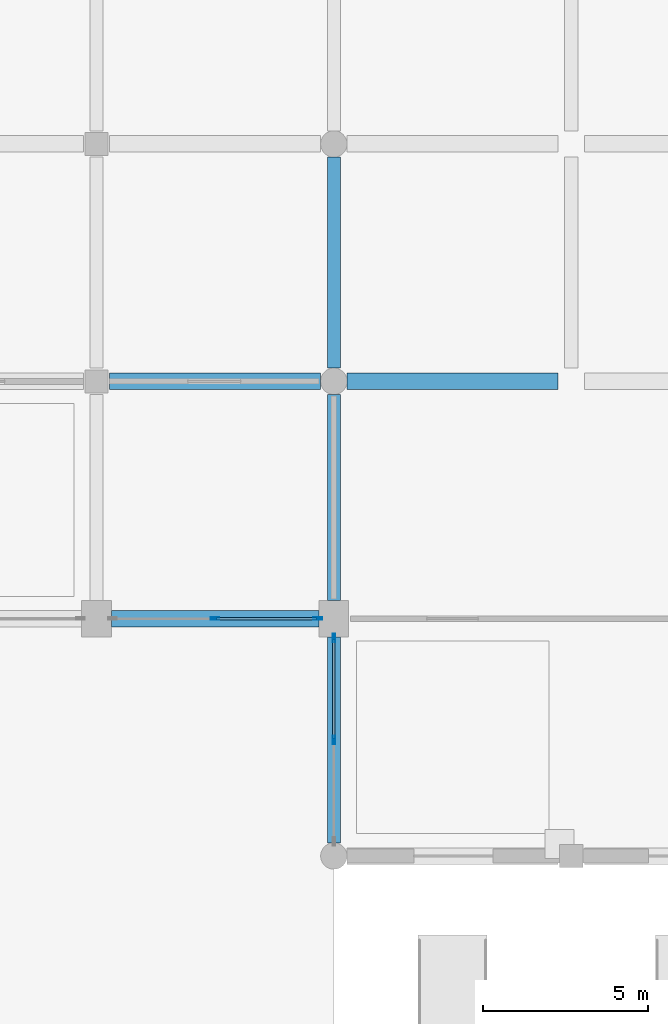
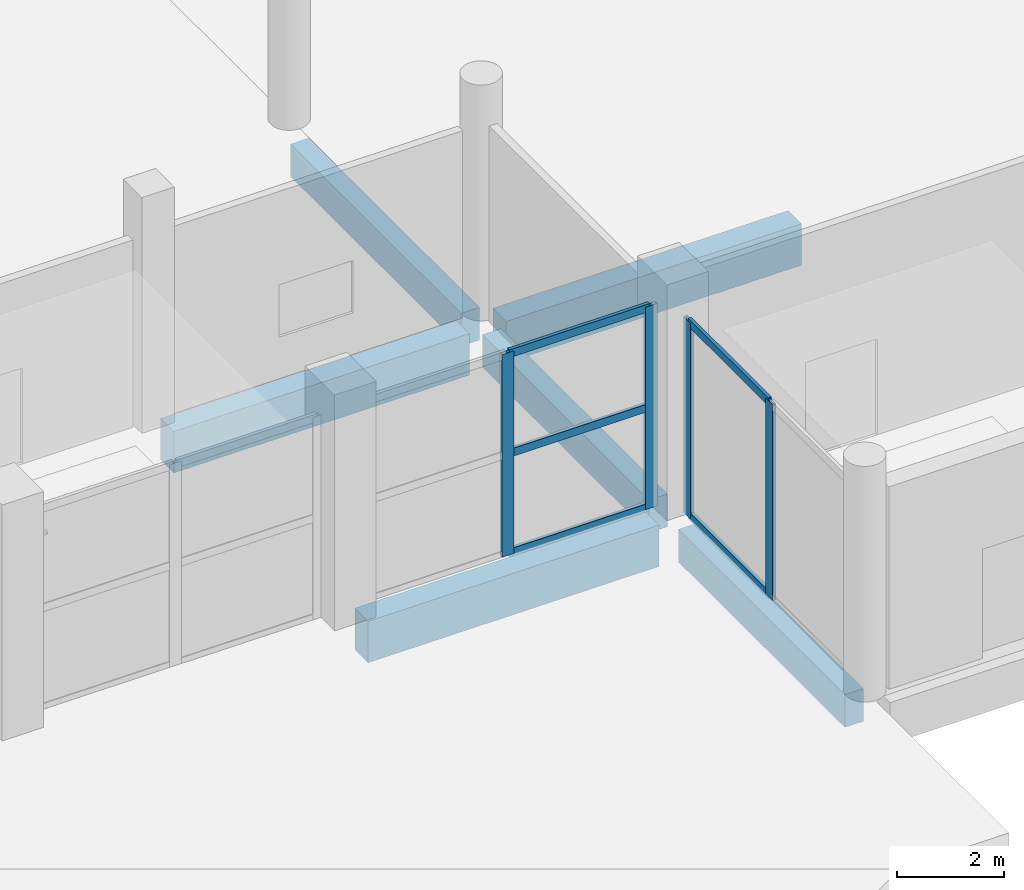
# One storey, part 14 of 70: 9 members, 6 beams, 2 elements without a shape of their own.
"""IFC4 building model written with IfcOpenShell, lengths in metres."""

from ifc_helpers import new_model, si_unit, direction, frame, origin, origin_2d, place, context, subcontext, project, spatial, rectangle, hollow_rectangle, extrude, material, material_profile, profile_set, type_object, element, aggregate, save


model = new_model("IFC4")

# Units and contexts
model_context = context("Model", 3, precision=1e-05, world=origin(), true_north=direction((0.0, 1.0)))
body_context = subcontext(model_context, "Body", "Model", "MODEL_VIEW")
ifc_project = project(units=[si_unit("LENGTHUNIT", "METRE"), si_unit("AREAUNIT", "SQUARE_METRE"), si_unit("VOLUMEUNIT", "CUBIC_METRE"), si_unit("PLANEANGLEUNIT", "RADIAN"), si_unit("MASSUNIT", "GRAM", prefix="KILO")], contexts=[model_context])

# Site, building, storey
site_placement = place(None, origin())
site = spatial("IfcSite", under=ifc_project, at=site_placement, CompositionType="ELEMENT")
building_placement = place(site_placement, origin())
building = spatial("IfcBuilding", under=site, at=building_placement, Name="Vesperath Aquatics Centre", CompositionType="ELEMENT")
storey_placement = place(building_placement, origin())
storey = spatial("IfcBuildingStorey", under=building, at=storey_placement, Name="L00", CompositionType="ELEMENT", Elevation=0.0)

# Beams
ifc_material_1 = material(Name="Concrete C40", Category="concrete")
ifc_material_profile_1 = material_profile(ifc_material_1, rectangle(XDim=0.5, YDim=0.949951171875, at=origin_2d()), Name="RC 500x950")
ifc_profile_set_1 = profile_set([ifc_material_profile_1], Name="Concrete C40")
beam_type_1 = type_object("IfcBeamType", Name="BM-G02", PredefinedType="BEAM", material=ifc_profile_set_1)
beam_1_placement = place(storey_placement, frame((94.050048828125, 14.39990234375, -0.7548828125), z_axis=(1.0, 0.0, 0.0), x_axis=(0.0, 1.0, 0.0)))
element("IfcBeam", 1, at=beam_1_placement, inside=storey, type_object=beam_type_1, Name="Floor Girder B02 L00 C 14-15", PredefinedType="BEAM", context=body_context, shape_type="SweptSolid", body=[
    extrude(rectangle(XDim=0.5, YDim=0.949951171875, at=origin_2d()), origin(), (0.0, 0.0, 1.0), 6.300048828125),
])
beam_2_placement = place(storey_placement, frame((94.0, 21.60009765625, -0.7548828125), z_axis=(1.0, 0.0, 0.0), x_axis=(0.0, 1.0, 0.0)))
element("IfcBeam", 2, at=beam_2_placement, inside=storey, type_object=beam_type_1, Name="Floor Girder B02 L00 D 14-15", PredefinedType="BEAM", context=body_context, shape_type="SweptSolid", body=[
    extrude(rectangle(XDim=0.5, YDim=0.949951171875, at=origin_2d()), origin(), (0.0, 0.0, 1.0), 6.39990234375),
])
beam_3_placement = place(storey_placement, frame((101.199951171875, 21.60009765625, -0.7548828125), z_axis=(1.0, 0.0, 0.0), x_axis=(0.0, 1.0, 0.0)))
element("IfcBeam", 3, at=beam_3_placement, inside=storey, type_object=beam_type_1, Name="Floor Girder B02 L00 D 15-16", PredefinedType="BEAM", context=body_context, shape_type="SweptSolid", body=[
    extrude(rectangle(XDim=0.5, YDim=0.949951171875, at=origin_2d()), origin(), (0.0, 0.0, 1.0), 6.400146484375),
])
ifc_material_2 = material(Name="Concrete C35", Category="concrete")
ifc_material_profile_2 = material_profile(ifc_material_2, rectangle(XDim=0.39990234375, YDim=0.75, at=origin_2d()), Name="RC 400x750")
ifc_profile_set_2 = profile_set([ifc_material_profile_2], Name="Concrete C35")
beam_type_2 = type_object("IfcBeamType", Name="BM-G04", PredefinedType="BEAM", material=ifc_profile_set_2)
for number, where, z_axis, x_axis, name in (
    (4, (100.800048828125, 7.60009765625, -0.655029296875), (0.0, 1.0, 0.0), (-1.0, 0.0, 0.0), "Floor Girder B04 L00 15 B-C"),
    (5, (100.800048828125, 14.949951171875, -0.655029296875), (0.0, 1.0, 0.0), (-1.0, 0.0, 0.0), "Floor Girder B04 L00 15 C-D"),
):
    element("IfcBeam", number, at=place(storey_placement, frame(where, z_axis=z_axis, x_axis=x_axis)), inside=storey, type_object=beam_type_2, Name=name, PredefinedType="BEAM", context=body_context, shape_type="SweptSolid", body=[
        extrude(rectangle(XDim=0.39990234375, YDim=0.75, at=origin_2d()), origin(), (0.0, 0.0, 1.0), 6.25),
    ])
beam_4_placement = place(storey_placement, frame((100.800048828125, 22.0, -0.655029296875), z_axis=(0.0, 1.0, 0.0), x_axis=(-1.0, 0.0, 0.0)))
element("IfcBeam", 6, at=beam_4_placement, inside=storey, type_object=beam_type_2, Name="Floor Girder B04 L00 15 D-E", PredefinedType="BEAM", context=body_context, shape_type="SweptSolid", body=[
    extrude(rectangle(XDim=0.39990234375, YDim=0.75, at=origin_2d()), origin(), (0.0, 0.0, 1.0), 6.39990234375),
])

# Curtain wall, members
ifc_material_3 = material(Name="Thermally broken anodised bronze aluminium curtain wall", Category="aluminium")
curtain_wall_type = type_object("IfcCurtainWallType", Name="CW-01", PredefinedType="NOTDEFINED", material=ifc_material_3)
curtain_wall_1_placement = place(storey_placement, origin())
curtain_wall_1 = element("IfcCurtainWall", 7, at=curtain_wall_1_placement, inside=storey, type_object=curtain_wall_type, Name="Facade Curtain Wall CW01 L00_S_13_02", PredefinedType="NOTDEFINED")
ifc_material_4 = material(Name="Thermally broken anodised aluminium", Category="aluminium")
ifc_material_profile_3 = material_profile(ifc_material_4, hollow_rectangle(XDim=0.074951171875, YDim=0.260009765625, WallThickness=0.006103515625, at=origin_2d()), Name="CWM 75x260x6")
ifc_profile_set_3 = profile_set([ifc_material_profile_3], Name="Thermally broken anodised aluminium")
member_type_1 = type_object("IfcMemberType", Name="MB-CWM1", PredefinedType="MULLION", material=ifc_profile_set_3)
member_1_placement = place(storey_placement, frame((97.199951171875, 14.39990234375, 0.0), z_axis=(0.0, 0.0, 1.0), x_axis=(0.0, 1.0, 0.0)))
member_1 = element("IfcMember", 8, at=member_1_placement, type_object=member_type_1, Name="CW01 mullion 2", PredefinedType="MULLION", context=body_context, shape_type="SweptSolid", body=[
    extrude(hollow_rectangle(XDim=0.074951171875, YDim=0.260009765625, WallThickness=0.006103515625, at=origin_2d()), origin(), (0.0, 0.0, 1.0), 4.639892578125),
])
member_2_placement = place(storey_placement, frame((100.3125, 14.39990234375, 0.0), z_axis=(0.0, 0.0, 1.0), x_axis=(0.0, 1.0, 0.0)))
member_2 = element("IfcMember", 9, at=member_2_placement, type_object=member_type_1, Name="CW01 mullion 3", PredefinedType="MULLION", context=body_context, shape_type="SweptSolid", body=[
    extrude(hollow_rectangle(XDim=0.074951171875, YDim=0.260009765625, WallThickness=0.006103515625, at=origin_2d()), origin(), (0.0, 0.0, 1.0), 4.639892578125),
])

curtain_wall_2_placement = place(storey_placement, origin())
curtain_wall_2 = element("IfcCurtainWall", 10, at=curtain_wall_2_placement, inside=storey, type_object=curtain_wall_type, Name="Facade Curtain Wall CW01 L00_W_14_01", PredefinedType="NOTDEFINED")
member_3_placement = place(storey_placement, frame((100.800048828125, 10.72509765625, 0.0), z_axis=(0.0, 0.0, 1.0), x_axis=(-1.0, 0.0, 0.0)))
member_3 = element("IfcMember", 11, at=member_3_placement, type_object=member_type_1, Name="CW01 mullion 2", PredefinedType="MULLION", context=body_context, shape_type="SweptSolid", body=[
    extrude(hollow_rectangle(XDim=0.074951171875, YDim=0.260009765625, WallThickness=0.006103515625, at=origin_2d()), origin(), (0.0, 0.0, 1.0), 4.489990234375),
])
member_4_placement = place(storey_placement, frame((100.800048828125, 13.8125, 0.0), z_axis=(0.0, 0.0, 1.0), x_axis=(-1.0, 0.0, 0.0)))
member_4 = element("IfcMember", 12, at=member_4_placement, type_object=member_type_1, Name="CW01 mullion 3", PredefinedType="MULLION", context=body_context, shape_type="SweptSolid", body=[
    extrude(hollow_rectangle(XDim=0.074951171875, YDim=0.260009765625, WallThickness=0.006103515625, at=origin_2d()), origin(), (0.0, 0.0, 1.0), 4.489990234375),
])

# Member
ifc_material_profile_4 = material_profile(ifc_material_4, hollow_rectangle(XDim=0.074951171875, YDim=0.179931640625, WallThickness=0.0048828125, at=origin_2d()), Name="CWT 75x180x5")
ifc_profile_set_4 = profile_set([ifc_material_profile_4], Name="Thermally broken anodised aluminium")
member_type_2 = type_object("IfcMemberType", Name="MB-CWT1", PredefinedType="USERDEFINED", material=ifc_profile_set_4)
member_5_placement = place(storey_placement, frame((97.237548828125, 14.39990234375, 0.03759765625), z_axis=(1.0, 0.0, 0.0), x_axis=(0.0, 1.0, 0.0)))
member_5 = element("IfcMember", 13, at=member_5_placement, type_object=member_type_2, Name="CW01 transom 2.1", ObjectType="TRANSOM", PredefinedType="USERDEFINED", context=body_context, shape_type="SweptSolid", body=[
    extrude(hollow_rectangle(XDim=0.074951171875, YDim=0.179931640625, WallThickness=0.0048828125, at=origin_2d()), origin(), (0.0, 0.0, 1.0), 3.037353515625),
])

member_6_placement = place(storey_placement, frame((97.237548828125, 14.39990234375, 2.320068359375), z_axis=(1.0, 0.0, 0.0), x_axis=(0.0, 1.0, 0.0)))
member_6 = element("IfcMember", 14, at=member_6_placement, type_object=member_type_2, Name="CW01 transom 2.2", ObjectType="TRANSOM", PredefinedType="USERDEFINED", context=body_context, shape_type="SweptSolid", body=[
    extrude(hollow_rectangle(XDim=0.074951171875, YDim=0.179931640625, WallThickness=0.0048828125, at=origin_2d()), origin(), (0.0, 0.0, 1.0), 3.037353515625),
])

member_7_placement = place(storey_placement, frame((97.237548828125, 14.39990234375, 4.6025390625), z_axis=(1.0, 0.0, 0.0), x_axis=(0.0, 1.0, 0.0)))
member_7 = element("IfcMember", 15, at=member_7_placement, type_object=member_type_2, Name="CW01 transom 2.3", ObjectType="TRANSOM", PredefinedType="USERDEFINED", context=body_context, shape_type="SweptSolid", body=[
    extrude(hollow_rectangle(XDim=0.074951171875, YDim=0.179931640625, WallThickness=0.0048828125, at=origin_2d()), origin(), (0.0, 0.0, 1.0), 3.037353515625),
])

aggregate(curtain_wall_1, [member_1, member_2, member_5, member_6, member_7])

member_8_placement = place(storey_placement, frame((100.800048828125, 10.762451171875, 0.03759765625), z_axis=(0.0, 1.0, 0.0), x_axis=(-1.0, 0.0, 0.0)))
member_8 = element("IfcMember", 16, at=member_8_placement, type_object=member_type_2, Name="CW01 transom 2.1", ObjectType="TRANSOM", PredefinedType="USERDEFINED", context=body_context, shape_type="SweptSolid", body=[
    extrude(hollow_rectangle(XDim=0.074951171875, YDim=0.179931640625, WallThickness=0.0048828125, at=origin_2d()), origin(), (0.0, 0.0, 1.0), 3.012451171875),
])

member_9_placement = place(storey_placement, frame((100.800048828125, 10.762451171875, 4.452392578125), z_axis=(0.0, 1.0, 0.0), x_axis=(-1.0, 0.0, 0.0)))
member_9 = element("IfcMember", 17, at=member_9_placement, type_object=member_type_2, Name="CW01 transom 2.2", ObjectType="TRANSOM", PredefinedType="USERDEFINED", context=body_context, shape_type="SweptSolid", body=[
    extrude(hollow_rectangle(XDim=0.074951171875, YDim=0.179931640625, WallThickness=0.0048828125, at=origin_2d()), origin(), (0.0, 0.0, 1.0), 3.012451171875),
])

aggregate(curtain_wall_2, [member_3, member_4, member_8, member_9])

save(model, "model.ifc")
